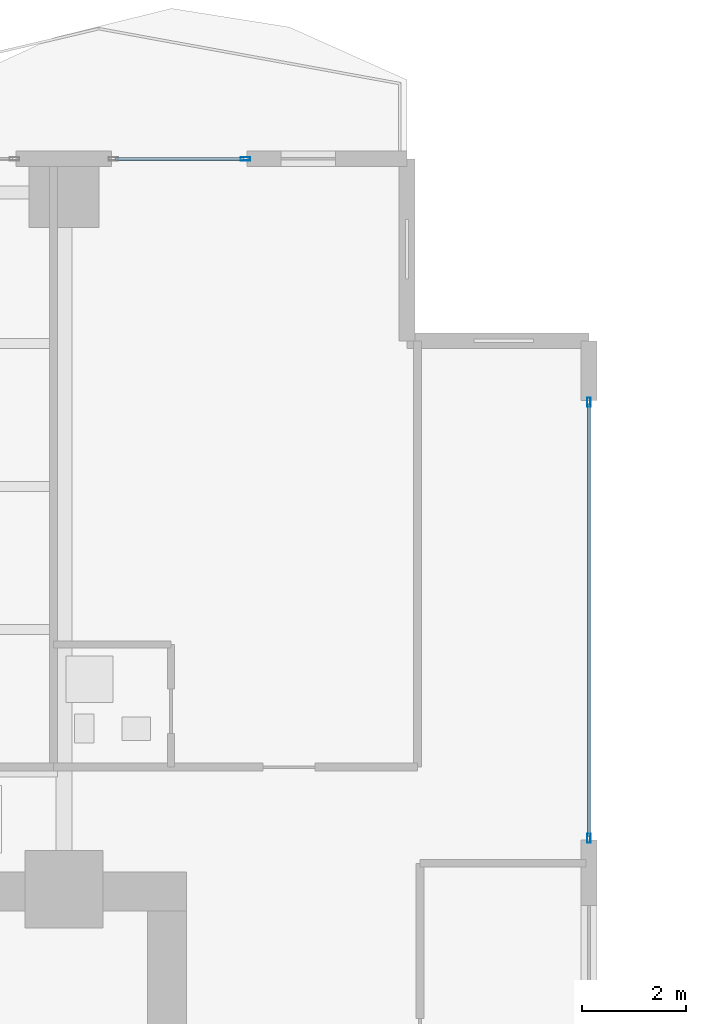
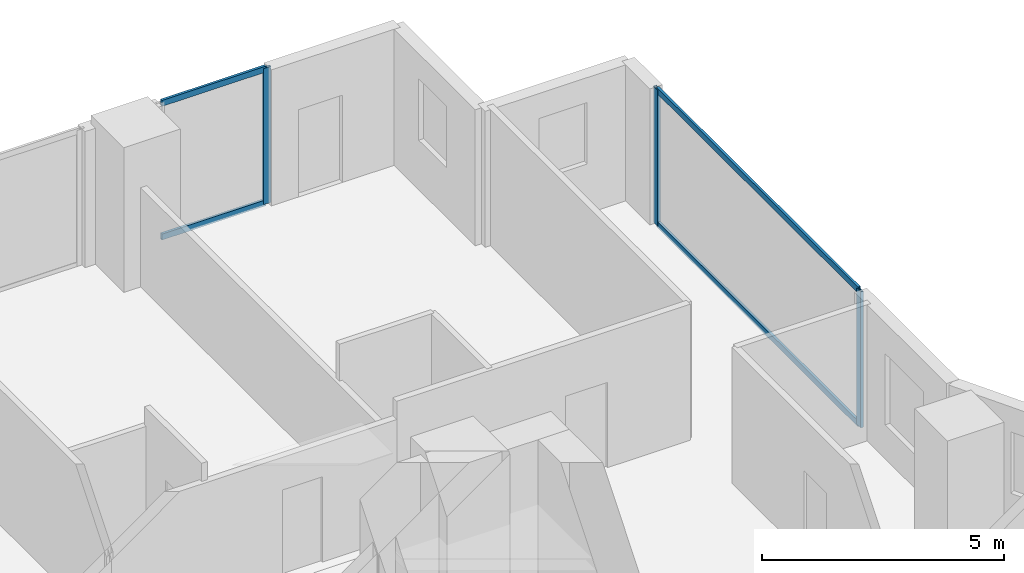
# One storey, part 19 of 30: 7 members, 2 elements without a shape of their own.
"""IFC4 building model written with IfcOpenShell, lengths in metres."""

import ifcopenshell
import ifcopenshell.guid

model = None  # the IFC model being written
_history = None  # IfcOwnerHistory: only IFC2X3 demands one
_inside = {}  # id of a spatial element -> (the spatial element, [elements in it])
_under = {}  # id of a project, library or spatial element -> (it, [spatial elements below it])
_declared = {}  # id of a project -> (the project, [libraries it declares])
_typed = {}  # id of a type object -> (the type object, [elements of that type])
_made_of = {}  # id of a material, layer set ... -> (it, [elements and type objects made of it])


def new_model(schema):
    """Start an empty IFC model of exactly this schema.

    Asked for "IFC4X3", IfcOpenShell would pick the latest addendum, in which some entities
    have other attributes; the version numbers below select the first issue.
    IFC2X3 requires an IfcOwnerHistory on every rooted entity: one is made here for all.
    """
    global model, _history
    if schema == "IFC4X3":
        model = ifcopenshell.file(schema_version=(4, 3, 0, 0))
    else:
        model = ifcopenshell.file(schema=schema)
    _inside.clear()
    _under.clear()
    _declared.clear()
    _typed.clear()
    _made_of.clear()
    _history = None
    if model.schema == "IFC2X3":
        org = make("IfcOrganization", Name="unknown")
        user = make(
            "IfcPersonAndOrganization",
            ThePerson=make("IfcPerson", FamilyName="unknown"),
            TheOrganization=org,
        )
        app = make(
            "IfcApplication",
            ApplicationDeveloper=org,
            Version="unknown",
            ApplicationFullName="unknown",
            ApplicationIdentifier="unknown",
        )
        _history = make(
            "IfcOwnerHistory",
            OwningUser=user,
            OwningApplication=app,
            ChangeAction="ADDED",
            CreationDate=0,
        )
    return model


def make(cls, **values):
    """One entity of the class cls with the attributes given. An attribute that is None is left unset."""
    return model.create_entity(
        cls, **{name: value for name, value in values.items() if value is not None}
    )


def rooted(cls, **values):
    """An entity with a GlobalId (a new one), such as an element, a storey or a relation."""
    return make(cls, GlobalId=ifcopenshell.guid.new(), OwnerHistory=_history, **values)


def si_unit(unit_type, name, prefix=None):
    """IfcSIUnit, for example si_unit("LENGTHUNIT", "METRE", prefix="MILLI")."""
    return make("IfcSIUnit", UnitType=unit_type, Prefix=prefix, Name=name)


def assignment(units):
    """IfcUnitAssignment: the units of a project."""
    return None if units is None else make("IfcUnitAssignment", Units=units)


def point(xyz):
    """IfcCartesianPoint."""
    return None if xyz is None else make("IfcCartesianPoint", Coordinates=xyz)


def direction(xyz):
    """IfcDirection."""
    return None if xyz is None else make("IfcDirection", DirectionRatios=xyz)


def frame(location, z_axis=None, x_axis=None):
    """IfcAxis2Placement3D, a coordinate frame: its origin and axes. An axis left out is left unset."""
    return make(
        "IfcAxis2Placement3D",
        Location=point(location),
        Axis=direction(z_axis),
        RefDirection=direction(x_axis),
    )


def frame_2d(location, x_axis=None):
    """IfcAxis2Placement2D, a coordinate frame in the plane: its origin and x axis."""
    return make(
        "IfcAxis2Placement2D", Location=point(location), RefDirection=direction(x_axis)
    )


def origin():
    """The frame at (0, 0, 0) with its axes left unset."""
    return frame((0.0, 0.0, 0.0))


def origin_2d():
    """The frame at (0, 0) in the plane with its x axis left unset."""
    return frame_2d((0.0, 0.0))


def place(relative_to, where):
    """IfcLocalPlacement: puts the frame where relative to a parent placement (None: the world)."""
    return make(
        "IfcLocalPlacement", PlacementRelTo=relative_to, RelativePlacement=where
    )


def context(
    kind, dimensions, precision=None, world=None, true_north=None, identifier=None
):
    """IfcGeometricRepresentationContext, for example the 3D "Model" context."""
    return make(
        "IfcGeometricRepresentationContext",
        ContextIdentifier=identifier,
        ContextType=kind,
        CoordinateSpaceDimension=dimensions,
        Precision=precision,
        WorldCoordinateSystem=world,
        TrueNorth=true_north,
    )


def subcontext(parent, identifier, kind, view, scale=None):
    """IfcGeometricRepresentationSubContext, for example "Body" below "Model"."""
    return make(
        "IfcGeometricRepresentationSubContext",
        ContextIdentifier=identifier,
        ContextType=kind,
        ParentContext=parent,
        TargetScale=scale,
        TargetView=view,
    )


def project(units=None, contexts=None):
    """IfcProject with its units and contexts."""
    return rooted(
        "IfcProject",
        Name="project",
        RepresentationContexts=contexts,
        UnitsInContext=assignment(units),
    )


def spatial(cls, under=None, at=None, **own):
    """A site, building, storey or space (cls), placed at a placement, below another one or the project."""
    s = rooted(cls, ObjectPlacement=at, **own)
    if under is not None:
        _under.setdefault(under.id(), (under, []))[1].append(s)
    return s


def profile(cls, at=None, kind="AREA", **sizes):
    """A parametric profile (cls). Its sizes go by their IFC names, for example OverallWidth=200.0."""
    return make(cls, ProfileType=kind, Position=at, **sizes)


def hollow_rectangle(**sizes):
    """IfcRectangleHollowProfileDef."""
    return profile("IfcRectangleHollowProfileDef", **sizes)


def extrude(swept, where, along, depth):
    """IfcExtrudedAreaSolid: the profile swept, set in the frame where, extruded along a direction by depth."""
    return make(
        "IfcExtrudedAreaSolid",
        SweptArea=swept,
        Position=where,
        ExtrudedDirection=direction(along),
        Depth=depth,
    )


def shape(context_of_items, identifier, shape_type, items):
    """IfcShapeRepresentation: the items that make up one representation, for example the "Body"."""
    return make(
        "IfcShapeRepresentation",
        ContextOfItems=context_of_items,
        RepresentationIdentifier=identifier,
        RepresentationType=shape_type,
        Items=items,
    )


def material(Name=None, Category=None):
    """IfcMaterial."""
    return make("IfcMaterial", Name=Name, Category=Category)


def layer(
    of_material, thickness, ventilated=None, Name=None, Category=None, Priority=None
):
    """IfcMaterialLayer: one layer of a wall or slab, of a material (None: an air gap)."""
    return make(
        "IfcMaterialLayer",
        Material=of_material,
        LayerThickness=thickness,
        IsVentilated=ventilated,
        Name=Name,
        Category=Category,
        Priority=Priority,
    )


def layer_set(layers, Name=None):
    """IfcMaterialLayerSet."""
    return make("IfcMaterialLayerSet", MaterialLayers=layers, LayerSetName=Name)


def material_profile(
    of_material, cross_section, Name=None, Category=None, Priority=None
):
    """IfcMaterialProfile: a cross section and its material."""
    return make(
        "IfcMaterialProfile",
        Name=Name,
        Material=of_material,
        Profile=cross_section,
        Priority=Priority,
        Category=Category,
    )


def profile_set(profiles, Name=None, composite=None):
    """IfcMaterialProfileSet."""
    return make(
        "IfcMaterialProfileSet",
        Name=Name,
        MaterialProfiles=profiles,
        CompositeProfile=composite,
    )


def made_of(thing, what):
    """Note that an element or type object is made of a material, layer set ...; save() writes the relation."""
    if what is not None:
        _made_of.setdefault(what.id(), (what, []))[1].append(thing)
    return thing


def type_object(cls, material=None, **own):
    """A type object (cls), such as IfcWallType, which elements share."""
    return made_of(rooted(cls, **own), material)


def element(
    cls,
    number,
    at=None,
    inside=None,
    cuts=None,
    type_object=None,
    material=None,
    context=None,
    identifier="Body",
    shape_type=None,
    held_by="IfcProductDefinitionShape",
    body=None,
    shapes=None,
    **own,
):
    """One element of the class cls, such as IfcWall. Its Tag is "e" and its number.

    at: its placement. inside: the storey or other place that contains it. cuts: it is an
    opening in that element (IfcRelVoidsElement). A single representation is given by context,
    identifier, shape_type and body (its items); several are given by shapes. held_by: the class
    of the entity that holds the representations. save() writes the other relations.
    """
    e = rooted(cls, Tag="e%d" % number, ObjectPlacement=at, **own)
    if body is not None:
        shapes = [shape(context, identifier, shape_type, body)]
    if shapes is not None:
        e.Representation = make(held_by, Representations=shapes)
    if inside is not None:
        _inside.setdefault(inside.id(), (inside, []))[1].append(e)
    if cuts is not None:
        rooted(
            "IfcRelVoidsElement", RelatingBuildingElement=cuts, RelatedOpeningElement=e
        )
    if type_object is not None:
        _typed.setdefault(type_object.id(), (type_object, []))[1].append(e)
    return made_of(e, material)


def aggregate(whole, parts):
    """IfcRelAggregates: a whole, such as a stair, and the parts it consists of."""
    return rooted("IfcRelAggregates", RelatingObject=whole, RelatedObjects=parts)


def save(model, path):
    """Write the relations noted so far, then the file.

    IfcRelAggregates (storeys below a building ...), IfcRelContainedInSpatialStructure (elements
    in a storey), IfcRelDefinesByType, IfcRelAssociatesMaterial and IfcRelDeclares: one each for
    every whole, place, type object, material and project.
    """
    for whole, parts in _under.values():
        aggregate(whole, parts)
    for where, things in _inside.values():
        rooted(
            "IfcRelContainedInSpatialStructure",
            RelatedElements=things,
            RelatingStructure=where,
        )
    for kind, things in _typed.values():
        rooted("IfcRelDefinesByType", RelatedObjects=things, RelatingType=kind)
    for what, things in _made_of.values():
        rooted("IfcRelAssociatesMaterial", RelatedObjects=things, RelatingMaterial=what)
    for by, libraries in _declared.values():
        rooted("IfcRelDeclares", RelatingContext=by, RelatedDefinitions=libraries)
    model.write(path)


model = new_model("IFC4")

# Units and contexts
model_context = context("Model", 3, precision=1e-05, world=origin(), true_north=direction((0.0, 1.0)))
body_context = subcontext(model_context, "Body", "Model", "MODEL_VIEW")
ifc_project = project(units=[si_unit("LENGTHUNIT", "METRE"), si_unit("AREAUNIT", "SQUARE_METRE"), si_unit("VOLUMEUNIT", "CUBIC_METRE"), si_unit("PLANEANGLEUNIT", "RADIAN"), si_unit("MASSUNIT", "GRAM", prefix="KILO")], contexts=[model_context])

# Site, building, storey
site_placement = place(None, origin())
site = spatial("IfcSite", under=ifc_project, at=site_placement, CompositionType="ELEMENT")
building_placement = place(site_placement, origin())
building = spatial("IfcBuilding", under=site, at=building_placement, Name="Zuhayl Quay Hotel", CompositionType="ELEMENT")
storey_placement = place(building_placement, frame((0.0, 0.0, 135.800048828125)))
storey = spatial("IfcBuildingStorey", under=building, at=storey_placement, Name="L34", CompositionType="ELEMENT", Elevation=135.800048828125)

# Curtain wall, member
ifc_material_1 = material(Name="Anodised Aluminium 6063-T6", Category="aluminium")
ifc_layer = layer(ifc_material_1, 0.179931640625, Name="Anodised Aluminium 6063-T6", Category="aluminium")
ifc_layer_set = layer_set([ifc_layer], Name="Anodised Aluminium 6063-T6")
curtain_wall_type = type_object("IfcCurtainWallType", Name="CW_SYS_Z2", PredefinedType="USERDEFINED", material=ifc_layer_set)
curtain_wall_1_placement = place(storey_placement, origin())
curtain_wall_1 = element("IfcCurtainWall", 1, at=curtain_wall_1_placement, inside=storey, type_object=curtain_wall_type, Name="L34 Curtain Wall ENV_L34_N_CW6", ObjectType="UNITISED CURTAIN WALL", PredefinedType="USERDEFINED")
ifc_material_2 = material(Name="Black-anodised aluminium 6063-T6", Category="aluminium")
ifc_material_profile_1 = material_profile(ifc_material_2, hollow_rectangle(XDim=0.06494140625, YDim=0.179931640625, WallThickness=0.00341796875, at=origin_2d()), Name="ALU180X65")
ifc_profile_set_1 = profile_set([ifc_material_profile_1], Name="Black-anodised aluminium 6063-T6")
member_type_1 = type_object("IfcMemberType", Name="MB_CW_MUL_180", PredefinedType="MULLION", material=ifc_profile_set_1)
member_1_placement = place(storey_placement, frame((17.29248046875, 28.39990234375, 0.0), z_axis=(0.0, 0.0, 1.0), x_axis=(0.0, 1.0, 0.0)))
member_1 = element("IfcMember", 2, at=member_1_placement, type_object=member_type_1, Name="CW-Z2 mullion 2", PredefinedType="MULLION", context=body_context, shape_type="SweptSolid", body=[
    extrude(hollow_rectangle(XDim=0.06494140625, YDim=0.179931640625, WallThickness=0.00341796875, at=origin_2d()), origin(), (0.0, 0.0, 1.0), 3.429931640625),
])

# Curtain wall, members
curtain_wall_2_placement = place(storey_placement, origin())
curtain_wall_2 = element("IfcCurtainWall", 3, at=curtain_wall_2_placement, inside=storey, type_object=curtain_wall_type, Name="L34 Curtain Wall ENV_L34_E11_CW1", ObjectType="UNITISED CURTAIN WALL", PredefinedType="USERDEFINED")
member_2_placement = place(storey_placement, frame((23.89990234375, 23.717529296875, 0.0), z_axis=(0.0, 0.0, 1.0), x_axis=(1.0, 0.0, 0.0)))
member_2 = element("IfcMember", 4, at=member_2_placement, type_object=member_type_1, Name="CW-Z2 mullion 1", PredefinedType="MULLION", context=body_context, shape_type="SweptSolid", body=[
    extrude(hollow_rectangle(XDim=0.06494140625, YDim=0.179931640625, WallThickness=0.00341796875, at=origin_2d()), origin(), (0.0, 0.0, 1.0), 3.429931640625),
])
member_3_placement = place(storey_placement, frame((23.89990234375, 15.33251953125, 0.0), z_axis=(0.0, 0.0, 1.0), x_axis=(1.0, 0.0, 0.0)))
member_3 = element("IfcMember", 5, at=member_3_placement, type_object=member_type_1, Name="CW-Z2 mullion 2", PredefinedType="MULLION", context=body_context, shape_type="SweptSolid", body=[
    extrude(hollow_rectangle(XDim=0.06494140625, YDim=0.179931640625, WallThickness=0.00341796875, at=origin_2d()), origin(), (0.0, 0.0, 1.0), 3.429931640625),
])

# Member
ifc_material_profile_2 = material_profile(ifc_material_2, hollow_rectangle(XDim=0.06005859375, YDim=0.14990234375, WallThickness=0.00341796875, at=origin_2d()), Name="ALU150X60")
ifc_profile_set_2 = profile_set([ifc_material_profile_2], Name="Black-anodised aluminium 6063-T6")
member_type_2 = type_object("IfcMemberType", Name="MB_CW_TRN_150", PredefinedType="USERDEFINED", material=ifc_profile_set_2)
member_4_placement = place(storey_placement, frame((14.784912109375, 28.39990234375, 0.030029296875), z_axis=(1.0, 0.0, 0.0), x_axis=(0.0, 1.0, 0.0)))
member_4 = element("IfcMember", 6, at=member_4_placement, type_object=member_type_2, Name="CW-Z2 transom 1.1", ObjectType="TRANSOM", PredefinedType="USERDEFINED", context=body_context, shape_type="SweptSolid", body=[
    extrude(hollow_rectangle(XDim=0.06005859375, YDim=0.14990234375, WallThickness=0.00341796875, at=origin_2d()), origin(), (0.0, 0.0, 1.0), 2.47509765625),
])

member_5_placement = place(storey_placement, frame((14.784912109375, 28.39990234375, 3.39990234375), z_axis=(1.0, 0.0, 0.0), x_axis=(0.0, 1.0, 0.0)))
member_5 = element("IfcMember", 7, at=member_5_placement, type_object=member_type_2, Name="CW-Z2 transom 1.2", ObjectType="TRANSOM", PredefinedType="USERDEFINED", context=body_context, shape_type="SweptSolid", body=[
    extrude(hollow_rectangle(XDim=0.06005859375, YDim=0.14990234375, WallThickness=0.00341796875, at=origin_2d()), origin(), (0.0, 0.0, 1.0), 2.47509765625),
])

aggregate(curtain_wall_1, [member_1, member_4, member_5])

member_6_placement = place(storey_placement, frame((23.89990234375, 23.68505859375, 0.030029296875), z_axis=(0.0, -1.0, 0.0), x_axis=(1.0, 0.0, 0.0)))
member_6 = element("IfcMember", 8, at=member_6_placement, type_object=member_type_2, Name="CW-Z2 transom 1.1", ObjectType="TRANSOM", PredefinedType="USERDEFINED", context=body_context, shape_type="SweptSolid", body=[
    extrude(hollow_rectangle(XDim=0.06005859375, YDim=0.14990234375, WallThickness=0.00341796875, at=origin_2d()), origin(), (0.0, 0.0, 1.0), 8.320068359375),
])

member_7_placement = place(storey_placement, frame((23.89990234375, 23.68505859375, 3.39990234375), z_axis=(0.0, -1.0, 0.0), x_axis=(1.0, 0.0, 0.0)))
member_7 = element("IfcMember", 9, at=member_7_placement, type_object=member_type_2, Name="CW-Z2 transom 1.2", ObjectType="TRANSOM", PredefinedType="USERDEFINED", context=body_context, shape_type="SweptSolid", body=[
    extrude(hollow_rectangle(XDim=0.06005859375, YDim=0.14990234375, WallThickness=0.00341796875, at=origin_2d()), origin(), (0.0, 0.0, 1.0), 8.320068359375),
])

aggregate(curtain_wall_2, [member_2, member_3, member_6, member_7])

save(model, "model.ifc")
